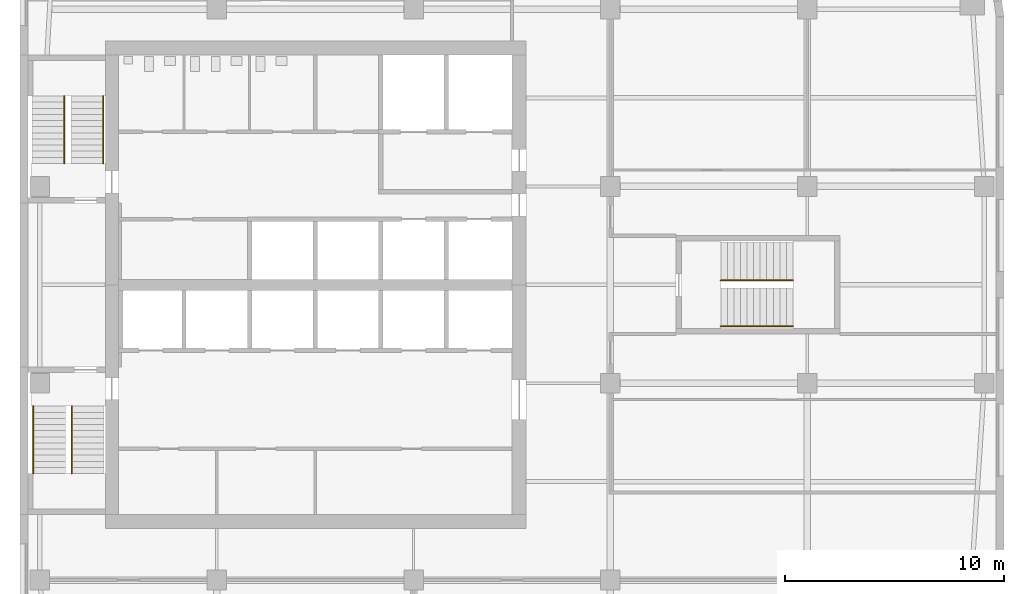
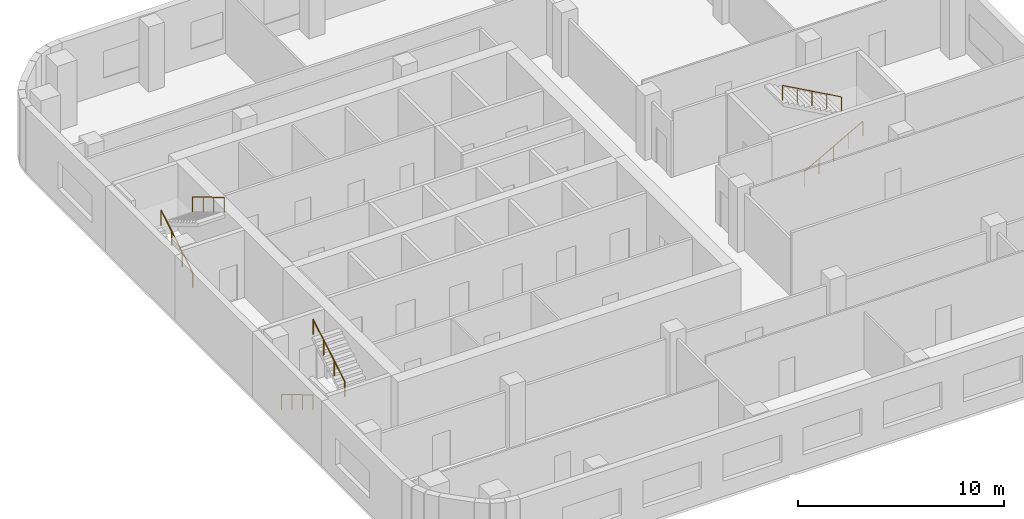
# One storey, part 7 of 8: 6 railings, 3 elements without a shape of their own.
"""IFC4 building model written with IfcOpenShell, lengths in metres."""

from ifc_helpers import new_model, si_unit, direction, frame, origin, origin_2d, place, context, subcontext, project, spatial, circle, extrude, material, type_object, element, aggregate, save


model = new_model("IFC4")

# Units and contexts
model_context = context("Model", 3, precision=1e-05, world=origin(), true_north=direction((0.0, 1.0)))
body_context = subcontext(model_context, "Body", "Model", "MODEL_VIEW")
ifc_project = project(units=[si_unit("LENGTHUNIT", "METRE"), si_unit("AREAUNIT", "SQUARE_METRE"), si_unit("VOLUMEUNIT", "CUBIC_METRE"), si_unit("PLANEANGLEUNIT", "RADIAN"), si_unit("MASSUNIT", "GRAM", prefix="KILO")], contexts=[model_context])

# Site, building, storey
site_placement = place(None, origin())
site = spatial("IfcSite", under=ifc_project, at=site_placement, CompositionType="ELEMENT")
building_placement = place(site_placement, origin())
building = spatial("IfcBuilding", under=site, at=building_placement, Name="Cinnabar Reach Civic Tower", CompositionType="ELEMENT")
storey_placement = place(building_placement, frame((0.0, 0.0, 185.0)))
storey = spatial("IfcBuildingStorey", under=building, at=storey_placement, Name="L44", CompositionType="ELEMENT", Elevation=185.0)

# Stair, railings
ifc_material_1 = material(Name="Concrete C40/50", Category="concrete")
stair_type = type_object("IfcStairType", Name="T1 Exit stair, half-turn", PredefinedType="HALF_TURN_STAIR", material=ifc_material_1)
stair_1_placement = place(storey_placement, origin())
stair_1 = element("IfcStair", 1, at=stair_1_placement, inside=storey, type_object=stair_type, Name="Stair T1-S1", PredefinedType="HALF_TURN_STAIR")
ifc_material_2 = material(Name="Stainless steel tube", Category="steel")
railing_type = type_object("IfcRailingType", Name="T1 Stair handrail, stainless tube 48", PredefinedType="HANDRAIL", material=ifc_material_2)
railing_1_placement = place(storey_placement, frame((0.6, 25.95, 0.1667)))
railing_1 = element("IfcRailing", 2, at=railing_1_placement, type_object=railing_type, Name="T1-S1 handrail 1", PredefinedType="HANDRAIL", context=body_context, shape_type="SweptSolid", body=[
    extrude(circle(Radius=0.024, at=origin_2d()), frame((0.0, 0.0, 0.876), z_axis=(0.0, -0.859296971757, 0.511476992962), x_axis=(1.0, 0.0, 0.0)), (0.0, 0.0, 1.0), 3.5843),
    extrude(circle(Radius=0.021, at=origin_2d()), origin(), (0.0, 0.0, 1.0), 0.852),
    extrude(circle(Radius=0.021, at=origin_2d()), frame((0.0, -1.0267, 0.6111)), (0.0, 0.0, 1.0), 0.852),
    extrude(circle(Radius=0.021, at=origin_2d()), frame((0.0, -2.0533, 1.2222)), (0.0, 0.0, 1.0), 0.852),
    extrude(circle(Radius=0.021, at=origin_2d()), frame((0.0, -3.08, 1.8333)), (0.0, 0.0, 1.0), 0.852),
])
railing_2_placement = place(storey_placement, frame((2.375, 22.87, 2.1667)))
railing_2 = element("IfcRailing", 3, at=railing_2_placement, type_object=railing_type, Name="T1-S1 handrail 2", PredefinedType="HANDRAIL", context=body_context, shape_type="SweptSolid", body=[
    extrude(circle(Radius=0.024, at=origin_2d()), frame((0.0, 0.0, 0.876), z_axis=(0.0, 0.859296971757, 0.511476992962), x_axis=(-1.0, 0.0, 0.0)), (0.0, 0.0, 1.0), 3.5843),
    extrude(circle(Radius=0.021, at=origin_2d()), origin(), (0.0, 0.0, 1.0), 0.852),
    extrude(circle(Radius=0.021, at=origin_2d()), frame((0.0, 1.0267, 0.6111)), (0.0, 0.0, 1.0), 0.852),
    extrude(circle(Radius=0.021, at=origin_2d()), frame((0.0, 2.0533, 1.2222)), (0.0, 0.0, 1.0), 0.852),
    extrude(circle(Radius=0.021, at=origin_2d()), frame((0.0, 3.08, 1.8333)), (0.0, 0.0, 1.0), 0.852),
])
aggregate(stair_1, [railing_1, railing_2])

stair_2_placement = place(storey_placement, origin())
stair_2 = element("IfcStair", 4, at=stair_2_placement, inside=storey, type_object=stair_type, Name="Stair T1-S2", PredefinedType="HALF_TURN_STAIR")
railing_3_placement = place(storey_placement, frame((2.025, 37.05, 0.1667)))
railing_3 = element("IfcRailing", 5, at=railing_3_placement, type_object=railing_type, Name="T1-S2 handrail 1", PredefinedType="HANDRAIL", context=body_context, shape_type="SweptSolid", body=[
    extrude(circle(Radius=0.024, at=origin_2d()), frame((0.0, 0.0, 0.876), z_axis=(0.0, 0.859296971757, 0.511476992962), x_axis=(-1.0, 0.0, 0.0)), (0.0, 0.0, 1.0), 3.5843),
    extrude(circle(Radius=0.021, at=origin_2d()), origin(), (0.0, 0.0, 1.0), 0.852),
    extrude(circle(Radius=0.021, at=origin_2d()), frame((0.0, 1.0267, 0.6111)), (0.0, 0.0, 1.0), 0.852),
    extrude(circle(Radius=0.021, at=origin_2d()), frame((0.0, 2.0533, 1.2222)), (0.0, 0.0, 1.0), 0.852),
    extrude(circle(Radius=0.021, at=origin_2d()), frame((0.0, 3.08, 1.8333)), (0.0, 0.0, 1.0), 0.852),
])
railing_4_placement = place(storey_placement, frame((3.8, 40.13, 2.1667)))
railing_4 = element("IfcRailing", 6, at=railing_4_placement, type_object=railing_type, Name="T1-S2 handrail 2", PredefinedType="HANDRAIL", context=body_context, shape_type="SweptSolid", body=[
    extrude(circle(Radius=0.024, at=origin_2d()), frame((0.0, 0.0, 0.876), z_axis=(0.0, -0.859296971757, 0.511476992962), x_axis=(1.0, 0.0, 0.0)), (0.0, 0.0, 1.0), 3.5843),
    extrude(circle(Radius=0.021, at=origin_2d()), origin(), (0.0, 0.0, 1.0), 0.852),
    extrude(circle(Radius=0.021, at=origin_2d()), frame((0.0, -1.0267, 0.6111)), (0.0, 0.0, 1.0), 0.852),
    extrude(circle(Radius=0.021, at=origin_2d()), frame((0.0, -2.0533, 1.2222)), (0.0, 0.0, 1.0), 0.852),
    extrude(circle(Radius=0.021, at=origin_2d()), frame((0.0, -3.08, 1.8333)), (0.0, 0.0, 1.0), 0.852),
])
aggregate(stair_2, [railing_3, railing_4])

stair_3_placement = place(storey_placement, origin())
stair_3 = element("IfcStair", 7, at=stair_3_placement, inside=storey, type_object=stair_type, Name="Stair T1-S3", PredefinedType="HALF_TURN_STAIR")
railing_5_placement = place(storey_placement, frame((32.05, 29.6, 0.1667)))
railing_5 = element("IfcRailing", 8, at=railing_5_placement, type_object=railing_type, Name="T1-S3 handrail 1", PredefinedType="HANDRAIL", context=body_context, shape_type="SweptSolid", body=[
    extrude(circle(Radius=0.024, at=origin_2d()), frame((0.0, 0.0, 0.876), z_axis=(0.874161024642, 0.0, 0.485636183781), x_axis=(0.0, 1.0, 0.0)), (0.0, 0.0, 1.0), 3.775),
    extrude(circle(Radius=0.021, at=origin_2d()), origin(), (0.0, 0.0, 1.0), 0.852),
    extrude(circle(Radius=0.021, at=origin_2d()), frame((0.825, 0.0, 0.4583)), (0.0, 0.0, 1.0), 0.852),
    extrude(circle(Radius=0.021, at=origin_2d()), frame((1.65, 0.0, 0.9167)), (0.0, 0.0, 1.0), 0.852),
    extrude(circle(Radius=0.021, at=origin_2d()), frame((2.475, 0.0, 1.375)), (0.0, 0.0, 1.0), 0.852),
    extrude(circle(Radius=0.021, at=origin_2d()), frame((3.3, 0.0, 1.8333)), (0.0, 0.0, 1.0), 0.852),
])
railing_6_placement = place(storey_placement, frame((35.35, 31.7, 2.1667)))
railing_6 = element("IfcRailing", 9, at=railing_6_placement, type_object=railing_type, Name="T1-S3 handrail 2", PredefinedType="HANDRAIL", context=body_context, shape_type="SweptSolid", body=[
    extrude(circle(Radius=0.024, at=origin_2d()), frame((0.0, 0.0, 0.876), z_axis=(-0.874161024642, 0.0, 0.485636183781), x_axis=(0.0, -1.0, 0.0)), (0.0, 0.0, 1.0), 3.775),
    extrude(circle(Radius=0.021, at=origin_2d()), origin(), (0.0, 0.0, 1.0), 0.852),
    extrude(circle(Radius=0.021, at=origin_2d()), frame((-0.825, 0.0, 0.4583)), (0.0, 0.0, 1.0), 0.852),
    extrude(circle(Radius=0.021, at=origin_2d()), frame((-1.65, 0.0, 0.9167)), (0.0, 0.0, 1.0), 0.852),
    extrude(circle(Radius=0.021, at=origin_2d()), frame((-2.475, 0.0, 1.375)), (0.0, 0.0, 1.0), 0.852),
    extrude(circle(Radius=0.021, at=origin_2d()), frame((-3.3, 0.0, 1.8333)), (0.0, 0.0, 1.0), 0.852),
])
aggregate(stair_3, [railing_5, railing_6])

save(model, "model.ifc")
